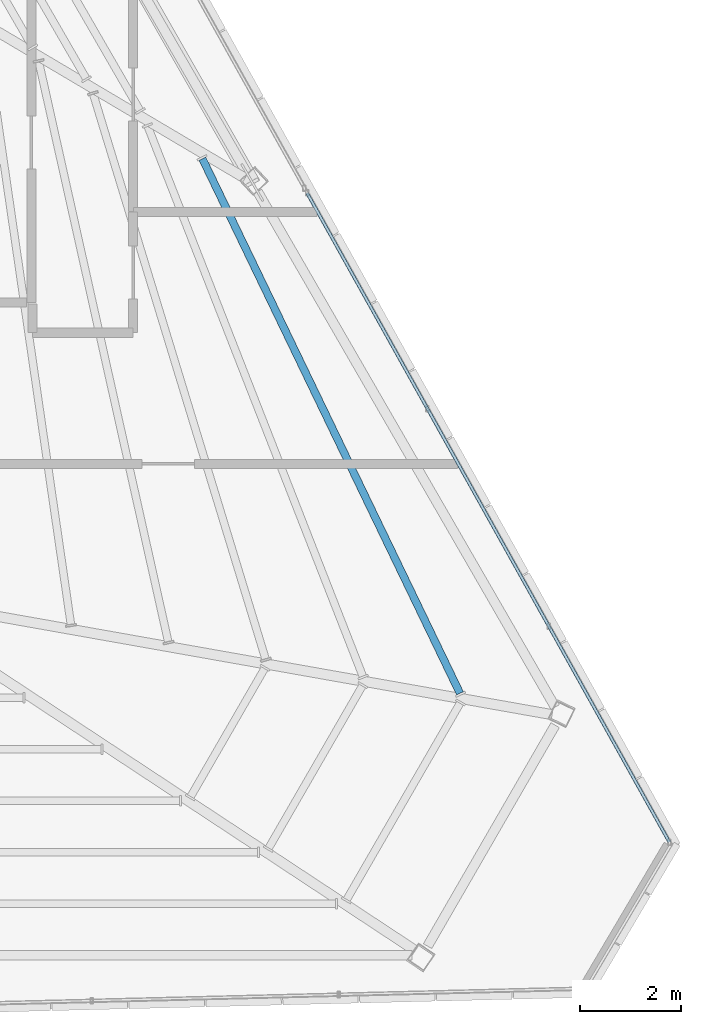
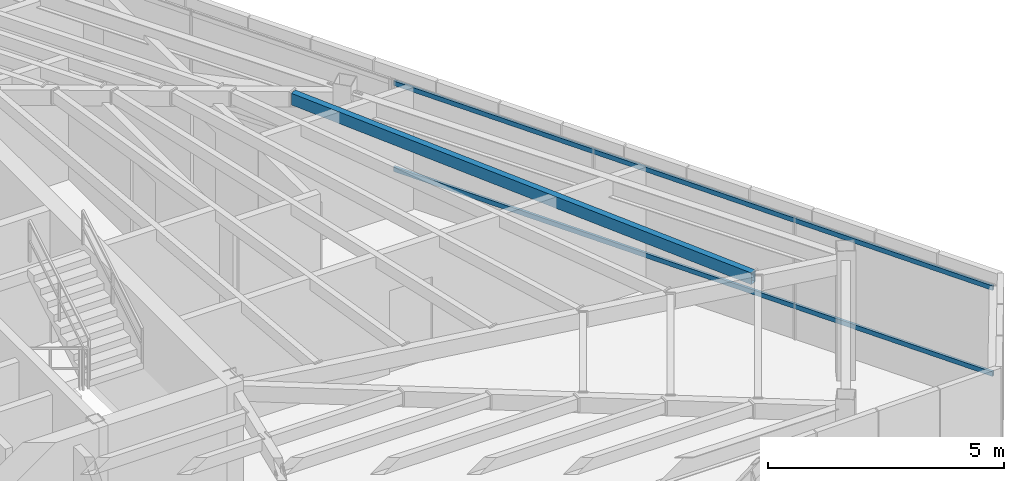
# One storey, part 26 of 48: 2 members, 1 beam, 1 element without a shape of its own.
"""IFC4 building model written with IfcOpenShell, lengths in metres."""

from ifc_helpers import new_model, si_unit, direction, frame, origin, origin_2d, place, context, subcontext, project, spatial, hollow_rectangle, extrude, source, transform, mapped, material, material_profile, profile_set, type_object, type_shapes, element, aggregate, save


model = new_model("IFC4")

# Units and contexts
model_context = context("Model", 3, precision=1e-05, world=origin(), true_north=direction((0.0, 1.0)))
body_context = subcontext(model_context, "Body", "Model", "MODEL_VIEW")
ifc_project = project(units=[si_unit("LENGTHUNIT", "METRE"), si_unit("AREAUNIT", "SQUARE_METRE"), si_unit("VOLUMEUNIT", "CUBIC_METRE"), si_unit("PLANEANGLEUNIT", "RADIAN"), si_unit("MASSUNIT", "GRAM", prefix="KILO")], contexts=[model_context])

# Site, building, storey
site_placement = place(None, origin())
site = spatial("IfcSite", under=ifc_project, at=site_placement, CompositionType="ELEMENT")
building_placement = place(site_placement, origin())
building = spatial("IfcBuilding", under=site, at=building_placement, Name="Caelisora Broadcast Tower", CompositionType="ELEMENT")
storey_placement = place(building_placement, frame((0.0, 0.0, 300.0)))
storey = spatial("IfcBuildingStorey", under=building, at=storey_placement, Name="L79", CompositionType="ELEMENT", Elevation=300.0)

# Beam
ifc_material_1 = material(Name="Steel Grade 350 (AS/NZS 1163 C350L0)", Category="steel")
ifc_material_profile_1 = material_profile(ifc_material_1, hollow_rectangle(XDim=0.14990234375, YDim=0.300048828125, WallThickness=0.010009765625, at=origin_2d()), Name="Steel Grade 350 (AS/NZS 1163 C350L0)")
ifc_profile_set_1 = profile_set([ifc_material_profile_1], Name="Steel Grade 350 (AS/NZS 1163 C350L0)")
beam_type = type_object("IfcBeamType", Name="SB05", PredefinedType="JOIST", material=ifc_profile_set_1)
shared_shape_1 = source(origin(), body_context, "Body", "SweptSolid", [
    extrude(hollow_rectangle(XDim=0.14990234375, YDim=0.300048828125, WallThickness=0.010009765625, at=origin_2d()), origin(), (0.0, 0.0, 1.0), 11.773681640625),
])
type_shapes(beam_type, [shared_shape_1])
beam_placement = place(storey_placement, frame((57.085205078125, 15.44580078125, 3.0), z_axis=(-0.434051900509, 0.90088786631, 0.0), x_axis=(-0.90088786631, -0.434051900509, 0.0)))
element("IfcBeam", 1, at=beam_placement, inside=storey, type_object=beam_type, Name="L79 beam SB05", PredefinedType="JOIST", context=body_context, shape_type="MappedRepresentation", body=[
    mapped(shared_shape_1, transform((0.0, 0.0, 0.0), scale=1.0)),
])

# Curtain wall, members
ifc_material_2 = material(Name="Unitised Aluminium Insulated Shadow-Box Spandrel Curtain Wall", Category="aluminium")
curtain_wall_type = type_object("IfcCurtainWallType", Name="CW-SP3", PredefinedType="NOTDEFINED", material=ifc_material_2)
curtain_wall_placement = place(storey_placement, origin())
curtain_wall = element("IfcCurtainWall", 2, at=curtain_wall_placement, inside=storey, type_object=curtain_wall_type, Name="L79 curtain wall CW-SP3", PredefinedType="NOTDEFINED")
ifc_material_3 = material(Name="Aluminium 6063-T6 Anodised Terracotta Bronze", Category="aluminium")
ifc_material_profile_2 = material_profile(ifc_material_3, hollow_rectangle(XDim=0.06005859375, YDim=0.1201171875, WallThickness=0.0029296875, at=origin_2d()), Name="Aluminium 6063-T6 Anodised Terracotta Bronze")
ifc_profile_set_2 = profile_set([ifc_material_profile_2], Name="Aluminium 6063-T6 Anodised Terracotta Bronze")
member_type = type_object("IfcMemberType", Name="CWT-03", PredefinedType="USERDEFINED", material=ifc_profile_set_2)
shared_shape_2 = source(origin(), body_context, "Body", "SweptSolid", [
    extrude(hollow_rectangle(XDim=0.06005859375, YDim=0.1201171875, WallThickness=0.0029296875, at=origin_2d()), origin(), (0.0, 0.0, 1.0), 14.751953125),
])
type_shapes(member_type, [shared_shape_2])
member_1_placement = place(storey_placement, frame((54.049560546875, 25.37548828125, 0.85009765625), z_axis=(0.487319792373, -0.873223579595, 0.0), x_axis=(0.873223579595, 0.487319792373, 0.0)))
member_1 = element("IfcMember", 3, at=member_1_placement, type_object=member_type, Name="L79-CW-B03 transom #1", ObjectType="TRANSOM", PredefinedType="USERDEFINED", context=body_context, shape_type="MappedRepresentation", body=[
    mapped(shared_shape_2, transform((0.0, 0.0, 0.0), scale=1.0)),
])
member_2_placement = place(storey_placement, frame((54.049560546875, 25.37548828125, 3.070068359375), z_axis=(0.487319792373, -0.873223579595, 0.0), x_axis=(0.873223579595, 0.487319792373, 0.0)))
member_2 = element("IfcMember", 4, at=member_2_placement, type_object=member_type, Name="L79-CW-B03 transom #2", ObjectType="TRANSOM", PredefinedType="USERDEFINED", context=body_context, shape_type="MappedRepresentation", body=[
    mapped(shared_shape_2, transform((0.0, 0.0, 0.0), scale=1.0)),
])
aggregate(curtain_wall, [member_1, member_2])

save(model, "model.ifc")
